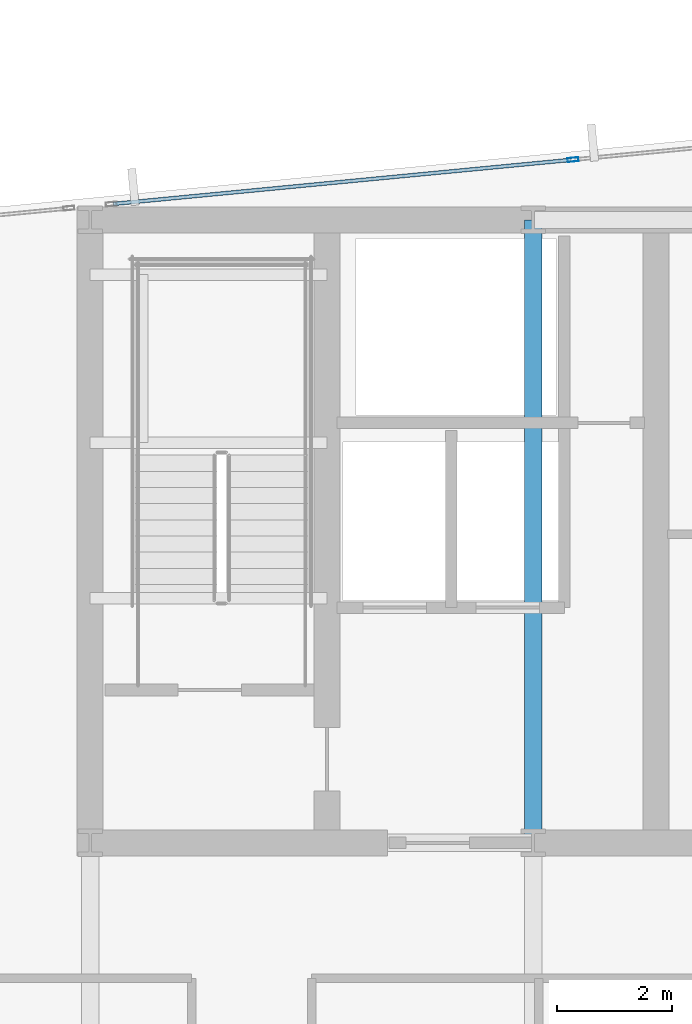
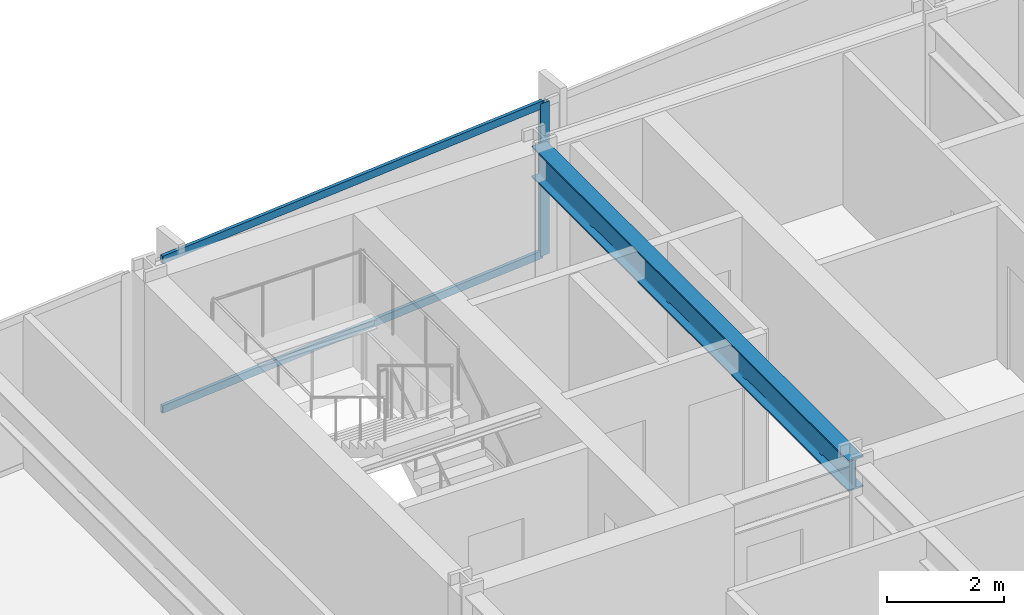
# One storey, part 18 of 33: 3 members, 1 beam, 1 element without a shape of its own.
"""IFC4 building model written with IfcOpenShell, lengths in metres."""

from ifc_helpers import new_model, si_unit, direction, frame, origin, origin_2d, place, context, subcontext, project, spatial, hollow_rectangle, i_section, extrude, material, material_profile, profile_set, type_object, element, aggregate, save


model = new_model("IFC4")

# Units and contexts
model_context = context("Model", 3, precision=1e-05, world=origin(), true_north=direction((0.0, 1.0)))
body_context = subcontext(model_context, "Body", "Model", "MODEL_VIEW")
ifc_project = project(units=[si_unit("LENGTHUNIT", "METRE"), si_unit("AREAUNIT", "SQUARE_METRE"), si_unit("VOLUMEUNIT", "CUBIC_METRE"), si_unit("PLANEANGLEUNIT", "RADIAN"), si_unit("MASSUNIT", "GRAM", prefix="KILO")], contexts=[model_context])

# Site, building, storey
site_placement = place(None, origin())
site = spatial("IfcSite", under=ifc_project, at=site_placement, CompositionType="ELEMENT")
building_placement = place(site_placement, origin())
building = spatial("IfcBuilding", under=site, at=building_placement, Name="Yelkora Congress Tower", CompositionType="ELEMENT")
storey_placement = place(building_placement, frame((0.0, 0.0, 127.10009765625)))
storey = spatial("IfcBuildingStorey", under=building, at=storey_placement, Name="L34", CompositionType="ELEMENT", Elevation=127.10009765625)

# Beam
ifc_material_1 = material(Name="Steel S355J2", Category="steel")
ifc_material_profile_1 = material_profile(ifc_material_1, i_section(OverallWidth=0.300048828125, OverallDepth=0.64990234375, WebThickness=0.01611328125, FlangeThickness=0.031005859375, FilletRadius=0.027099609375, at=origin_2d()), Name="HEB 650")
ifc_profile_set_1 = profile_set([ifc_material_profile_1], Name="Steel S355J2")
beam_type = type_object("IfcBeamType", Name="BM-GIRD-HEB650", PredefinedType="BEAM", material=ifc_profile_set_1)
beam_placement = place(storey_placement, frame((30.719970703125, 35.39990234375, 2.85498046875), z_axis=(0.0, 1.0, 0.0), x_axis=(-1.0, 0.0, 0.0)))
element("IfcBeam", 1, at=beam_placement, inside=storey, type_object=beam_type, Name="L34 Core Tie Girder MC-S2", PredefinedType="BEAM", context=body_context, shape_type="SweptSolid", body=[
    extrude(i_section(OverallWidth=0.300048828125, OverallDepth=0.64990234375, WebThickness=0.01611328125, FlangeThickness=0.031005859375, FilletRadius=0.027099609375, at=origin_2d()), origin(), (0.0, 0.0, 1.0), 10.800048828125),
])

# Curtain wall, members
ifc_material_2 = material(Name="Anodised aluminium and insulated glass", Category="aluminium")
curtain_wall_type = type_object("IfcCurtainWallType", Name="CW-SYS-B2", PredefinedType="NOTDEFINED", material=ifc_material_2)
curtain_wall_placement = place(storey_placement, origin())
curtain_wall = element("IfcCurtainWall", 2, at=curtain_wall_placement, inside=storey, type_object=curtain_wall_type, Name="L34 Unitised Curtain Wall 10 (3)", PredefinedType="NOTDEFINED")
ifc_material_3 = material(Name="Anodised aluminium 6063-T6", Category="aluminium")
ifc_material_profile_2 = material_profile(ifc_material_3, hollow_rectangle(XDim=0.070068359375, YDim=0.18994140625, WallThickness=0.00390625, at=origin_2d()), Name="ALU 70x190x4")
ifc_profile_set_2 = profile_set([ifc_material_profile_2], Name="Anodised aluminium 6063-T6")
member_type_1 = type_object("IfcMemberType", Name="MEM-ML-B2", PredefinedType="MULLION", material=ifc_profile_set_2)
member_1_placement = place(storey_placement, frame((31.411865234375, 47.244140625, 0.0), z_axis=(0.0, 0.0, 1.0), x_axis=(-0.095844238468, 0.995396344153, 0.0)))
member_1 = element("IfcMember", 3, at=member_1_placement, type_object=member_type_1, Name="CW-B2 mullion 2", PredefinedType="MULLION", context=body_context, shape_type="SweptSolid", body=[
    extrude(hollow_rectangle(XDim=0.070068359375, YDim=0.18994140625, WallThickness=0.00390625, at=origin_2d()), origin(), (0.0, 0.0, 1.0), 3.179931640625),
])
ifc_material_profile_3 = material_profile(ifc_material_3, hollow_rectangle(XDim=0.06494140625, YDim=0.159912109375, WallThickness=0.00390625, at=origin_2d()), Name="ALU 65x160x4")
ifc_profile_set_3 = profile_set([ifc_material_profile_3], Name="Anodised aluminium 6063-T6")
member_type_2 = type_object("IfcMemberType", Name="MEM-TR-B2", PredefinedType="USERDEFINED", material=ifc_profile_set_3)
member_2_placement = place(storey_placement, frame((23.441650390625, 46.476806640625, 0.032470703125), z_axis=(0.995398474706, 0.09582210889, 0.0), x_axis=(-0.09582210889, 0.995398474706, 0.0)))
member_2 = element("IfcMember", 4, at=member_2_placement, type_object=member_type_2, Name="CW-B2 transom 1.1", ObjectType="TRANSOM", PredefinedType="USERDEFINED", context=body_context, shape_type="SweptSolid", body=[
    extrude(hollow_rectangle(XDim=0.06494140625, YDim=0.159912109375, WallThickness=0.00390625, at=origin_2d()), origin(), (0.0, 0.0, 1.0), 7.97216796875),
])
member_3_placement = place(storey_placement, frame((23.441650390625, 46.476806640625, 3.1474609375), z_axis=(0.995398474706, 0.09582210889, 0.0), x_axis=(-0.09582210889, 0.995398474706, 0.0)))
member_3 = element("IfcMember", 5, at=member_3_placement, type_object=member_type_2, Name="CW-B2 transom 1.2", ObjectType="TRANSOM", PredefinedType="USERDEFINED", context=body_context, shape_type="SweptSolid", body=[
    extrude(hollow_rectangle(XDim=0.06494140625, YDim=0.159912109375, WallThickness=0.00390625, at=origin_2d()), origin(), (0.0, 0.0, 1.0), 7.97216796875),
])
aggregate(curtain_wall, [member_1, member_2, member_3])

save(model, "model.ifc")
